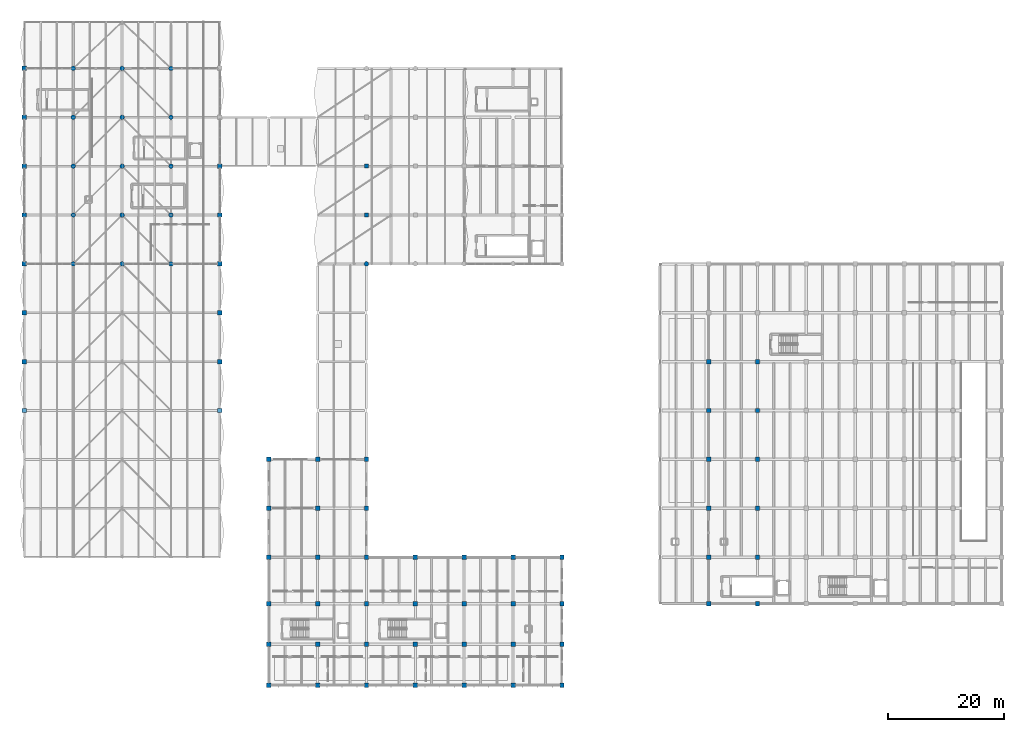
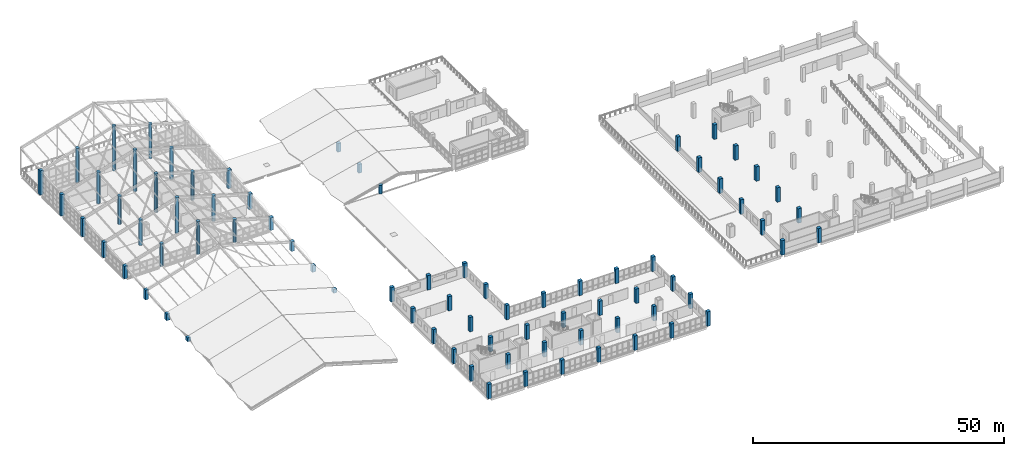
# One storey, part 1 of 95: 78 columns.
"""IFC4 building model written with IfcOpenShell, lengths in metres."""

from ifc_helpers import new_model, si_unit, direction, frame, origin, origin_2d, place, context, subcontext, project, spatial, rectangle, circle, extrude, material, material_profile, profile_set, type_object, element, save


model = new_model("IFC4")

# Units and contexts
model_context = context("Model", 3, precision=1e-05, world=origin(), true_north=direction((0.0, 1.0)))
body_context = subcontext(model_context, "Body", "Model", "MODEL_VIEW")
ifc_project = project(units=[si_unit("LENGTHUNIT", "METRE"), si_unit("AREAUNIT", "SQUARE_METRE"), si_unit("VOLUMEUNIT", "CUBIC_METRE"), si_unit("PLANEANGLEUNIT", "RADIAN"), si_unit("MASSUNIT", "GRAM", prefix="KILO"), si_unit("THERMODYNAMICTEMPERATUREUNIT", "KELVIN"), si_unit("POWERUNIT", "WATT")], contexts=[model_context])

# Site, building, storey
site_placement = place(None, origin())
site = spatial("IfcSite", under=ifc_project, at=site_placement, CompositionType="ELEMENT")
building_placement = place(site_placement, origin())
building = spatial("IfcBuilding", under=site, at=building_placement, Name="Mavoryth Pier Ferry Terminal", CompositionType="ELEMENT")
storey_placement = place(building_placement, frame((0.0, 0.0, 9.60009765625)))
storey = spatial("IfcBuildingStorey", under=building, at=storey_placement, Name="L02", CompositionType="ELEMENT", Elevation=9.60009765625)

# Columns
ifc_material = material(Name="Concrete C40/50", Category="concrete")
ifc_material_profile_1 = material_profile(ifc_material, circle(Radius=0.389892578125, at=origin_2d()), Name="RC D780", Category="concrete")
ifc_profile_set_1 = profile_set([ifc_material_profile_1], Name="Concrete C40/50 - RC D780")
column_type_1 = type_object("IfcColumnType", Name="Col-Pilotis-D780", PredefinedType="COLUMN", material=ifc_profile_set_1)
column_1_placement = place(storey_placement, frame((8.39990234375, 72.39990234375, 0.0), z_axis=(0.0, 0.0, 1.0), x_axis=(1.0, 0.0, 0.0)))
element("IfcColumn", 1, at=column_1_placement, inside=storey, type_object=column_type_1, Name="Column C02-CC03-153", PredefinedType="COLUMN", context=body_context, shape_type="SweptSolid", body=[
    extrude(circle(Radius=0.389892578125, at=origin_2d()), origin(), (0.0, 0.0, 1.0), 5.564697265625),
])
column_2_placement = place(storey_placement, frame((8.39990234375, 80.800048828125, 0.0), z_axis=(0.0, 0.0, 1.0), x_axis=(1.0, 0.0, 0.0)))
element("IfcColumn", 2, at=column_2_placement, inside=storey, type_object=column_type_1, Name="Column C02-CC03-154", PredefinedType="COLUMN", context=body_context, shape_type="SweptSolid", body=[
    extrude(circle(Radius=0.389892578125, at=origin_2d()), origin(), (0.0, 0.0, 1.0), 6.279052734375),
])
column_3_placement = place(storey_placement, frame((8.39990234375, 89.199951171875, 0.0), z_axis=(0.0, 0.0, 1.0), x_axis=(1.0, 0.0, 0.0)))
element("IfcColumn", 3, at=column_3_placement, inside=storey, type_object=column_type_1, Name="Column C02-CC03-155", PredefinedType="COLUMN", context=body_context, shape_type="SweptSolid", body=[
    extrude(circle(Radius=0.389892578125, at=origin_2d()), origin(), (0.0, 0.0, 1.0), 6.993408203125),
])
column_4_placement = place(storey_placement, frame((8.39990234375, 97.60009765625, 0.0), z_axis=(0.0, 0.0, 1.0), x_axis=(1.0, 0.0, 0.0)))
element("IfcColumn", 4, at=column_4_placement, inside=storey, type_object=column_type_1, Name="Column C02-CC03-156", PredefinedType="COLUMN", context=body_context, shape_type="SweptSolid", body=[
    extrude(circle(Radius=0.389892578125, at=origin_2d()), origin(), (0.0, 0.0, 1.0), 7.707763671875),
])
column_5_placement = place(storey_placement, frame((8.39990234375, 106.0, 0.0), z_axis=(0.0, 0.0, 1.0), x_axis=(1.0, 0.0, 0.0)))
element("IfcColumn", 5, at=column_5_placement, inside=storey, type_object=column_type_1, Name="Column C02-CC03-157", PredefinedType="COLUMN", context=body_context, shape_type="SweptSolid", body=[
    extrude(circle(Radius=0.389892578125, at=origin_2d()), origin(), (0.0, 0.0, 1.0), 8.422119140625),
])
column_6_placement = place(storey_placement, frame((16.800048828125, 72.39990234375, 0.0), z_axis=(0.0, 0.0, 1.0), x_axis=(1.0, 0.0, 0.0)))
element("IfcColumn", 6, at=column_6_placement, inside=storey, type_object=column_type_1, Name="Column C02-CC03-159", PredefinedType="COLUMN", context=body_context, shape_type="SweptSolid", body=[
    extrude(circle(Radius=0.389892578125, at=origin_2d()), origin(), (0.0, 0.0, 1.0), 8.042724609375),
])
column_7_placement = place(storey_placement, frame((16.800048828125, 80.800048828125, 0.0), z_axis=(0.0, 0.0, 1.0), x_axis=(1.0, 0.0, 0.0)))
element("IfcColumn", 7, at=column_7_placement, inside=storey, type_object=column_type_1, Name="Column C02-CC03-160", PredefinedType="COLUMN", context=body_context, shape_type="SweptSolid", body=[
    extrude(circle(Radius=0.389892578125, at=origin_2d()), origin(), (0.0, 0.0, 1.0), 8.75732421875),
])
column_8_placement = place(storey_placement, frame((16.800048828125, 89.199951171875, 0.0), z_axis=(0.0, 0.0, 1.0), x_axis=(1.0, 0.0, 0.0)))
element("IfcColumn", 8, at=column_8_placement, inside=storey, type_object=column_type_1, Name="Column C02-CC03-161", PredefinedType="COLUMN", context=body_context, shape_type="SweptSolid", body=[
    extrude(circle(Radius=0.389892578125, at=origin_2d()), origin(), (0.0, 0.0, 1.0), 9.471435546875),
])
column_9_placement = place(storey_placement, frame((16.800048828125, 97.60009765625, 0.0), z_axis=(0.0, 0.0, 1.0), x_axis=(1.0, 0.0, 0.0)))
element("IfcColumn", 9, at=column_9_placement, inside=storey, type_object=column_type_1, Name="Column C02-CC03-162", PredefinedType="COLUMN", context=body_context, shape_type="SweptSolid", body=[
    extrude(circle(Radius=0.389892578125, at=origin_2d()), origin(), (0.0, 0.0, 1.0), 10.185791015625),
])
column_10_placement = place(storey_placement, frame((16.800048828125, 106.0, 0.0), z_axis=(0.0, 0.0, 1.0), x_axis=(1.0, 0.0, 0.0)))
element("IfcColumn", 10, at=column_10_placement, inside=storey, type_object=column_type_1, Name="Column C02-CC03-163", PredefinedType="COLUMN", context=body_context, shape_type="SweptSolid", body=[
    extrude(circle(Radius=0.389892578125, at=origin_2d()), origin(), (0.0, 0.0, 1.0), 10.900146484375),
])
column_11_placement = place(storey_placement, frame((25.199951171875, 72.39990234375, 0.0), z_axis=(0.0, 0.0, 1.0), x_axis=(1.0, 0.0, 0.0)))
element("IfcColumn", 11, at=column_11_placement, inside=storey, type_object=column_type_1, Name="Column C02-CC03-165", PredefinedType="COLUMN", context=body_context, shape_type="SweptSolid", body=[
    extrude(circle(Radius=0.389892578125, at=origin_2d()), origin(), (0.0, 0.0, 1.0), 5.564697265625),
])
column_12_placement = place(storey_placement, frame((25.199951171875, 80.800048828125, 0.0), z_axis=(0.0, 0.0, 1.0), x_axis=(1.0, 0.0, 0.0)))
element("IfcColumn", 12, at=column_12_placement, inside=storey, type_object=column_type_1, Name="Column C02-CC03-166", PredefinedType="COLUMN", context=body_context, shape_type="SweptSolid", body=[
    extrude(circle(Radius=0.389892578125, at=origin_2d()), origin(), (0.0, 0.0, 1.0), 6.279052734375),
])
column_13_placement = place(storey_placement, frame((25.199951171875, 89.199951171875, 0.0), z_axis=(0.0, 0.0, 1.0), x_axis=(1.0, 0.0, 0.0)))
element("IfcColumn", 13, at=column_13_placement, inside=storey, type_object=column_type_1, Name="Column C02-CC03-167", PredefinedType="COLUMN", context=body_context, shape_type="SweptSolid", body=[
    extrude(circle(Radius=0.389892578125, at=origin_2d()), origin(), (0.0, 0.0, 1.0), 6.993408203125),
])
column_14_placement = place(storey_placement, frame((25.199951171875, 97.60009765625, 0.0), z_axis=(0.0, 0.0, 1.0), x_axis=(1.0, 0.0, 0.0)))
element("IfcColumn", 14, at=column_14_placement, inside=storey, type_object=column_type_1, Name="Column C02-CC03-168", PredefinedType="COLUMN", context=body_context, shape_type="SweptSolid", body=[
    extrude(circle(Radius=0.389892578125, at=origin_2d()), origin(), (0.0, 0.0, 1.0), 7.707763671875),
])
column_15_placement = place(storey_placement, frame((25.199951171875, 106.0, 0.0), z_axis=(0.0, 0.0, 1.0), x_axis=(1.0, 0.0, 0.0)))
element("IfcColumn", 15, at=column_15_placement, inside=storey, type_object=column_type_1, Name="Column C02-CC03-169", PredefinedType="COLUMN", context=body_context, shape_type="SweptSolid", body=[
    extrude(circle(Radius=0.389892578125, at=origin_2d()), origin(), (0.0, 0.0, 1.0), 8.422119140625),
])
column_16_placement = place(storey_placement, frame((58.800048828125, 72.39990234375, 0.0), z_axis=(0.0, 0.0, 1.0), x_axis=(1.0, 0.0, 0.0)))
element("IfcColumn", 16, at=column_16_placement, inside=storey, type_object=column_type_1, Name="Column C02-CC03-240", PredefinedType="COLUMN", context=body_context, shape_type="SweptSolid", body=[
    extrude(circle(Radius=0.389892578125, at=origin_2d()), origin(), (0.0, 0.0, 1.0), 2.143798828125),
])
ifc_material_profile_2 = material_profile(ifc_material, rectangle(XDim=0.699951171875, YDim=0.699951171875, at=origin_2d()), Name="RC 700x700", Category="concrete")
ifc_profile_set_2 = profile_set([ifc_material_profile_2], Name="Concrete C40/50 - RC 700x700")
column_type_2 = type_object("IfcColumnType", Name="Col-RC-700x700", PredefinedType="COLUMN", material=ifc_profile_set_2)
for number, where, z_axis, x_axis, name in (
    (17, (58.800048828125, 80.800048828125, 0.0), (0.0, 0.0, 1.0), (1.0, 0.0, 0.0), "Column C02-CC09-241"),
    (18, (58.800048828125, 89.199951171875, 0.0), (0.0, 0.0, 1.0), (1.0, 0.0, 0.0), "Column C02-CC09-242"),
):
    element("IfcColumn", number, at=place(storey_placement, frame(where, z_axis=z_axis, x_axis=x_axis)), inside=storey, type_object=column_type_2, Name=name, PredefinedType="COLUMN", context=body_context, shape_type="SweptSolid", body=[
        extrude(rectangle(XDim=0.699951171875, YDim=0.699951171875, at=origin_2d()), origin(), (0.0, 0.0, 1.0), 2.143798828125),
    ])
ifc_material_profile_3 = material_profile(ifc_material, rectangle(XDim=0.75, YDim=0.75, at=origin_2d()), Name="RC 750x750", Category="concrete")
ifc_profile_set_3 = profile_set([ifc_material_profile_3], Name="Concrete C40/50 - RC 750x750")
column_type_3 = type_object("IfcColumnType", Name="Col-RC-750x750", PredefinedType="COLUMN", material=ifc_profile_set_3)
column_17_placement = place(storey_placement, frame((0.0, 47.199951171875, 0.0), z_axis=(0.0, 0.0, 1.0), x_axis=(1.0, 0.0, 0.0)))
element("IfcColumn", 19, at=column_17_placement, inside=storey, type_object=column_type_3, Name="Column C02-CC10-144", PredefinedType="COLUMN", context=body_context, shape_type="SweptSolid", body=[
    extrude(rectangle(XDim=0.75, YDim=0.75, at=origin_2d()), origin(), (0.0, 0.0, 1.0), 0.92333984375),
])
column_18_placement = place(storey_placement, frame((0.0, 55.60009765625, 0.0), z_axis=(0.0, 0.0, 1.0), x_axis=(1.0, 0.0, 0.0)))
element("IfcColumn", 20, at=column_18_placement, inside=storey, type_object=column_type_3, Name="Column C02-CC10-145", PredefinedType="COLUMN", context=body_context, shape_type="SweptSolid", body=[
    extrude(rectangle(XDim=0.75, YDim=0.75, at=origin_2d()), origin(), (0.0, 0.0, 1.0), 1.6376953125),
])
column_19_placement = place(storey_placement, frame((0.0, 64.0, 0.0), z_axis=(0.0, 0.0, 1.0), x_axis=(1.0, 0.0, 0.0)))
element("IfcColumn", 21, at=column_19_placement, inside=storey, type_object=column_type_3, Name="Column C02-CC10-146", PredefinedType="COLUMN", context=body_context, shape_type="SweptSolid", body=[
    extrude(rectangle(XDim=0.75, YDim=0.75, at=origin_2d()), origin(), (0.0, 0.0, 1.0), 2.35205078125),
])
column_20_placement = place(storey_placement, frame((0.0, 72.39990234375, 0.0), z_axis=(0.0, 0.0, 1.0), x_axis=(1.0, 0.0, 0.0)))
element("IfcColumn", 22, at=column_20_placement, inside=storey, type_object=column_type_3, Name="Column C02-CC10-147", PredefinedType="COLUMN", context=body_context, shape_type="SweptSolid", body=[
    extrude(rectangle(XDim=0.75, YDim=0.75, at=origin_2d()), origin(), (0.0, 0.0, 1.0), 3.06640625),
])
column_21_placement = place(storey_placement, frame((0.0, 80.800048828125, 0.0), z_axis=(0.0, 0.0, 1.0), x_axis=(1.0, 0.0, 0.0)))
element("IfcColumn", 23, at=column_21_placement, inside=storey, type_object=column_type_3, Name="Column C02-CC10-148", PredefinedType="COLUMN", context=body_context, shape_type="SweptSolid", body=[
    extrude(rectangle(XDim=0.75, YDim=0.75, at=origin_2d()), origin(), (0.0, 0.0, 1.0), 3.78076171875),
])
column_22_placement = place(storey_placement, frame((0.0, 89.199951171875, 0.0), z_axis=(0.0, 0.0, 1.0), x_axis=(1.0, 0.0, 0.0)))
element("IfcColumn", 24, at=column_22_placement, inside=storey, type_object=column_type_3, Name="Column C02-CC10-149", PredefinedType="COLUMN", context=body_context, shape_type="SweptSolid", body=[
    extrude(rectangle(XDim=0.75, YDim=0.75, at=origin_2d()), origin(), (0.0, 0.0, 1.0), 4.4951171875),
])
column_23_placement = place(storey_placement, frame((0.0, 97.60009765625, 0.0), z_axis=(0.0, 0.0, 1.0), x_axis=(1.0, 0.0, 0.0)))
element("IfcColumn", 25, at=column_23_placement, inside=storey, type_object=column_type_3, Name="Column C02-CC10-150", PredefinedType="COLUMN", context=body_context, shape_type="SweptSolid", body=[
    extrude(rectangle(XDim=0.75, YDim=0.75, at=origin_2d()), origin(), (0.0, 0.0, 1.0), 5.20947265625),
])
column_24_placement = place(storey_placement, frame((0.0, 106.0, 0.0), z_axis=(0.0, 0.0, 1.0), x_axis=(1.0, 0.0, 0.0)))
element("IfcColumn", 26, at=column_24_placement, inside=storey, type_object=column_type_3, Name="Column C02-CC10-151", PredefinedType="COLUMN", context=body_context, shape_type="SweptSolid", body=[
    extrude(rectangle(XDim=0.75, YDim=0.75, at=origin_2d()), origin(), (0.0, 0.0, 1.0), 5.923583984375),
])
column_25_placement = place(storey_placement, frame((33.60009765625, 47.199951171875, 0.0), z_axis=(0.0, 0.0, 1.0), x_axis=(1.0, 0.0, 0.0)))
element("IfcColumn", 27, at=column_25_placement, inside=storey, type_object=column_type_3, Name="Column C02-CC10-171", PredefinedType="COLUMN", context=body_context, shape_type="SweptSolid", body=[
    extrude(rectangle(XDim=0.75, YDim=0.75, at=origin_2d()), origin(), (0.0, 0.0, 1.0), 0.92333984375),
])
column_26_placement = place(storey_placement, frame((33.60009765625, 55.60009765625, 0.0), z_axis=(0.0, 0.0, 1.0), x_axis=(1.0, 0.0, 0.0)))
element("IfcColumn", 28, at=column_26_placement, inside=storey, type_object=column_type_3, Name="Column C02-CC10-172", PredefinedType="COLUMN", context=body_context, shape_type="SweptSolid", body=[
    extrude(rectangle(XDim=0.75, YDim=0.75, at=origin_2d()), origin(), (0.0, 0.0, 1.0), 1.6376953125),
])
column_27_placement = place(storey_placement, frame((33.60009765625, 64.0, 0.0), z_axis=(0.0, 0.0, 1.0), x_axis=(1.0, 0.0, 0.0)))
element("IfcColumn", 29, at=column_27_placement, inside=storey, type_object=column_type_3, Name="Column C02-CC10-173", PredefinedType="COLUMN", context=body_context, shape_type="SweptSolid", body=[
    extrude(rectangle(XDim=0.75, YDim=0.75, at=origin_2d()), origin(), (0.0, 0.0, 1.0), 2.35205078125),
])
column_28_placement = place(storey_placement, frame((33.60009765625, 72.39990234375, 0.0), z_axis=(0.0, 0.0, 1.0), x_axis=(1.0, 0.0, 0.0)))
element("IfcColumn", 30, at=column_28_placement, inside=storey, type_object=column_type_3, Name="Column C02-CC10-174", PredefinedType="COLUMN", context=body_context, shape_type="SweptSolid", body=[
    extrude(rectangle(XDim=0.75, YDim=0.75, at=origin_2d()), origin(), (0.0, 0.0, 1.0), 3.06640625),
])
column_29_placement = place(storey_placement, frame((33.60009765625, 80.800048828125, 0.0), z_axis=(0.0, 0.0, 1.0), x_axis=(1.0, 0.0, 0.0)))
element("IfcColumn", 31, at=column_29_placement, inside=storey, type_object=column_type_3, Name="Column C02-CC10-175", PredefinedType="COLUMN", context=body_context, shape_type="SweptSolid", body=[
    extrude(rectangle(XDim=0.75, YDim=0.75, at=origin_2d()), origin(), (0.0, 0.0, 1.0), 3.78076171875),
])
column_30_placement = place(storey_placement, frame((33.60009765625, 89.199951171875, 0.0), z_axis=(0.0, 0.0, 1.0), x_axis=(1.0, 0.0, 0.0)))
element("IfcColumn", 32, at=column_30_placement, inside=storey, type_object=column_type_3, Name="Column C02-CC10-176", PredefinedType="COLUMN", context=body_context, shape_type="SweptSolid", body=[
    extrude(rectangle(XDim=0.75, YDim=0.75, at=origin_2d()), origin(), (0.0, 0.0, 1.0), 4.4951171875),
])
for number, where, z_axis, x_axis, name in (
    (33, (117.60009765625, 14.0, 0.0), (0.0, 0.0, 1.0), (1.0, 0.0, 0.0), "Column C02-CC10-427"),
    (34, (117.60009765625, 22.0, 0.0), (0.0, 0.0, 1.0), (1.0, 0.0, 0.0), "Column C02-CC10-428"),
    (35, (117.60009765625, 30.39990234375, 0.0), (0.0, 0.0, 1.0), (1.0, 0.0, 0.0), "Column C02-CC10-429"),
    (36, (117.60009765625, 38.800048828125, 0.0), (0.0, 0.0, 1.0), (1.0, 0.0, 0.0), "Column C02-CC10-430"),
    (37, (117.60009765625, 47.199951171875, 0.0), (0.0, 0.0, 1.0), (1.0, 0.0, 0.0), "Column C02-CC10-431"),
    (38, (117.60009765625, 55.60009765625, 0.0), (0.0, 0.0, 1.0), (1.0, 0.0, 0.0), "Column C02-CC10-432"),
    (39, (126.0, 14.0, 0.0), (0.0, 0.0, 1.0), (1.0, 0.0, 0.0), "Column C02-CC10-435"),
    (40, (126.0, 22.0, 0.0), (0.0, 0.0, 1.0), (1.0, 0.0, 0.0), "Column C02-CC10-436"),
    (41, (126.0, 30.39990234375, 0.0), (0.0, 0.0, 1.0), (1.0, 0.0, 0.0), "Column C02-CC10-437"),
    (42, (126.0, 38.800048828125, 0.0), (0.0, 0.0, 1.0), (1.0, 0.0, 0.0), "Column C02-CC10-438"),
    (43, (126.0, 47.199951171875, 0.0), (0.0, 0.0, 1.0), (1.0, 0.0, 0.0), "Column C02-CC10-439"),
    (44, (126.0, 55.60009765625, 0.0), (0.0, 0.0, 1.0), (1.0, 0.0, 0.0), "Column C02-CC10-440"),
    (45, (42.0, 0.0, 0.0), (0.0, 0.0, 1.0), (1.0, 0.0, 0.0), "Column C02-CC10-593"),
    (46, (42.0, 7.0, 0.0), (0.0, 0.0, 1.0), (1.0, 0.0, 0.0), "Column C02-CC10-594"),
    (47, (42.0, 14.0, 0.0), (0.0, 0.0, 1.0), (1.0, 0.0, 0.0), "Column C02-CC10-595"),
    (48, (42.0, 22.0, 0.0), (0.0, 0.0, 1.0), (1.0, 0.0, 0.0), "Column C02-CC10-596"),
    (49, (50.39990234375, 0.0, 0.0), (0.0, 0.0, 1.0), (1.0, 0.0, 0.0), "Column C02-CC10-597"),
    (50, (50.39990234375, 7.0, 0.0), (0.0, 0.0, 1.0), (1.0, 0.0, 0.0), "Column C02-CC10-598"),
    (51, (50.39990234375, 14.0, 0.0), (0.0, 0.0, 1.0), (1.0, 0.0, 0.0), "Column C02-CC10-599"),
    (52, (50.39990234375, 22.0, 0.0), (0.0, 0.0, 1.0), (1.0, 0.0, 0.0), "Column C02-CC10-600"),
    (53, (58.800048828125, 0.0, 0.0), (0.0, 0.0, 1.0), (1.0, 0.0, 0.0), "Column C02-CC10-601"),
    (54, (58.800048828125, 7.0, 0.0), (0.0, 0.0, 1.0), (1.0, 0.0, 0.0), "Column C02-CC10-602"),
    (55, (58.800048828125, 14.0, 0.0), (0.0, 0.0, 1.0), (1.0, 0.0, 0.0), "Column C02-CC10-603"),
    (56, (58.800048828125, 22.0, 0.0), (0.0, 0.0, 1.0), (1.0, 0.0, 0.0), "Column C02-CC10-604"),
    (57, (67.199951171875, 0.0, 0.0), (0.0, 0.0, 1.0), (1.0, 0.0, 0.0), "Column C02-CC10-605"),
    (58, (67.199951171875, 7.0, 0.0), (0.0, 0.0, 1.0), (1.0, 0.0, 0.0), "Column C02-CC10-606"),
    (59, (67.199951171875, 14.0, 0.0), (0.0, 0.0, 1.0), (1.0, 0.0, 0.0), "Column C02-CC10-607"),
    (60, (67.199951171875, 22.0, 0.0), (0.0, 0.0, 1.0), (1.0, 0.0, 0.0), "Column C02-CC10-608"),
    (61, (75.60009765625, 0.0, 0.0), (0.0, 0.0, 1.0), (1.0, 0.0, 0.0), "Column C02-CC10-609"),
    (62, (75.60009765625, 7.0, 0.0), (0.0, 0.0, 1.0), (1.0, 0.0, 0.0), "Column C02-CC10-610"),
    (63, (75.60009765625, 14.0, 0.0), (0.0, 0.0, 1.0), (1.0, 0.0, 0.0), "Column C02-CC10-611"),
    (64, (75.60009765625, 22.0, 0.0), (0.0, 0.0, 1.0), (1.0, 0.0, 0.0), "Column C02-CC10-612"),
    (65, (84.0, 0.0, 0.0), (0.0, 0.0, 1.0), (1.0, 0.0, 0.0), "Column C02-CC10-613"),
    (66, (84.0, 7.0, 0.0), (0.0, 0.0, 1.0), (1.0, 0.0, 0.0), "Column C02-CC10-614"),
    (67, (84.0, 14.0, 0.0), (0.0, 0.0, 1.0), (1.0, 0.0, 0.0), "Column C02-CC10-615"),
    (68, (84.0, 22.0, 0.0), (0.0, 0.0, 1.0), (1.0, 0.0, 0.0), "Column C02-CC10-616"),
    (69, (92.39990234375, 0.0, 0.0), (0.0, 0.0, 1.0), (1.0, 0.0, 0.0), "Column C02-CC10-617"),
    (70, (92.39990234375, 7.0, 0.0), (0.0, 0.0, 1.0), (1.0, 0.0, 0.0), "Column C02-CC10-618"),
    (71, (92.39990234375, 14.0, 0.0), (0.0, 0.0, 1.0), (1.0, 0.0, 0.0), "Column C02-CC10-619"),
    (72, (92.39990234375, 22.0, 0.0), (0.0, 0.0, 1.0), (1.0, 0.0, 0.0), "Column C02-CC10-620"),
    (73, (42.0, 30.39990234375, 0.0), (0.0, 0.0, 1.0), (1.0, 0.0, 0.0), "Column C02-CC10-621"),
    (74, (42.0, 38.800048828125, 0.0), (0.0, 0.0, 1.0), (1.0, 0.0, 0.0), "Column C02-CC10-622"),
    (75, (50.39990234375, 30.39990234375, 0.0), (0.0, 0.0, 1.0), (1.0, 0.0, 0.0), "Column C02-CC10-623"),
    (76, (50.39990234375, 38.800048828125, 0.0), (0.0, 0.0, 1.0), (1.0, 0.0, 0.0), "Column C02-CC10-624"),
    (77, (58.800048828125, 30.39990234375, 0.0), (0.0, 0.0, 1.0), (1.0, 0.0, 0.0), "Column C02-CC10-625"),
    (78, (58.800048828125, 38.800048828125, 0.0), (0.0, 0.0, 1.0), (1.0, 0.0, 0.0), "Column C02-CC10-626"),
):
    element("IfcColumn", number, at=place(storey_placement, frame(where, z_axis=z_axis, x_axis=x_axis)), inside=storey, type_object=column_type_3, Name=name, PredefinedType="COLUMN", context=body_context, shape_type="SweptSolid", body=[
        extrude(rectangle(XDim=0.75, YDim=0.75, at=origin_2d()), origin(), (0.0, 0.0, 1.0), 3.52001953125),
    ])

save(model, "model.ifc")
